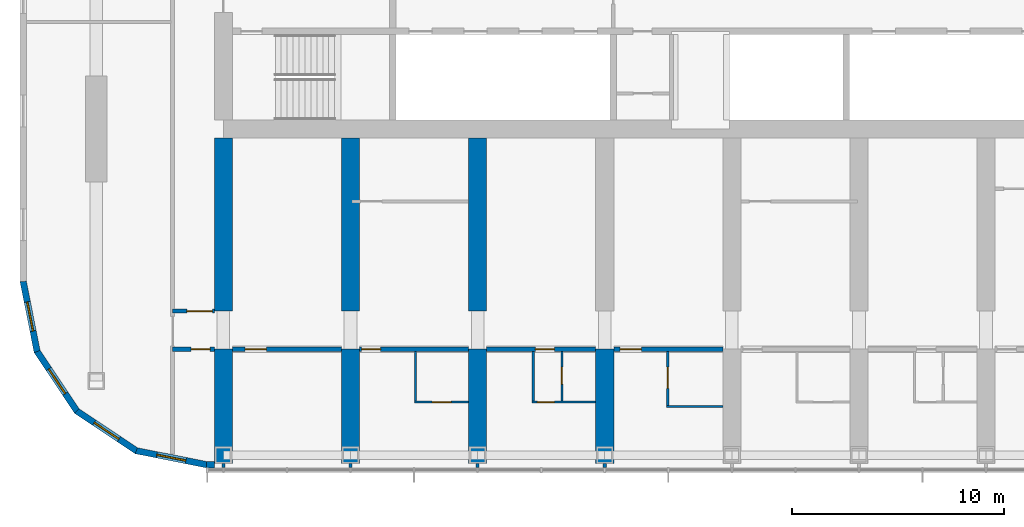
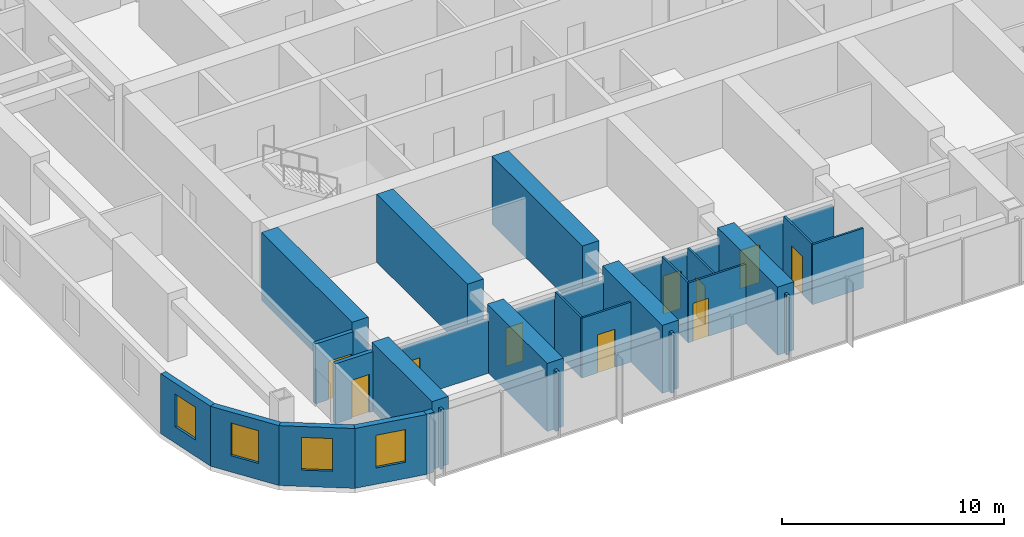
# One storey, part 10 of 22: 29 walls, 10 doors, 4 windows, 14 openings.
"""IFC4 building model written with IfcOpenShell, lengths in metres."""

from ifc_helpers import new_model, si_unit, direction, frame, frame_2d, origin, place, context, subcontext, project, spatial, polyline, rectangle, outline, extrude, material, layer, layer_set, type_object, element, fill, save


model = new_model("IFC4")

# Units and contexts
model_context = context("Model", 3, precision=1e-05, world=origin(), true_north=direction((0.0, 1.0)))
body_context = subcontext(model_context, "Body", "Model", "MODEL_VIEW")
ifc_project = project(units=[si_unit("LENGTHUNIT", "METRE"), si_unit("AREAUNIT", "SQUARE_METRE"), si_unit("VOLUMEUNIT", "CUBIC_METRE"), si_unit("PLANEANGLEUNIT", "RADIAN"), si_unit("MASSUNIT", "GRAM", prefix="KILO")], contexts=[model_context])

# Site, building, storey
site_placement = place(None, origin())
site = spatial("IfcSite", under=ifc_project, at=site_placement, CompositionType="ELEMENT")
building_placement = place(site_placement, origin())
building = spatial("IfcBuilding", under=site, at=building_placement, Name="Orbita Commons", CompositionType="ELEMENT")
storey_placement = place(building_placement, frame((0.0, 0.0, 144.85009765625)))
storey = spatial("IfcBuildingStorey", under=building, at=storey_placement, Name="L35", CompositionType="ELEMENT", Elevation=144.85009765625)

# Wall, opening, door
ifc_material_1 = material(Name="Concrete blockwork", Category="masonry")
ifc_layer_1 = layer(ifc_material_1, 0.199951171875)
ifc_layer_set_1 = layer_set([ifc_layer_1], Name="Concrete blockwork")
wall_type_1 = type_object("IfcWallType", Name="Corridor wall 200 blockwork", PredefinedType="SOLIDWALL", material=ifc_layer_set_1)
wall_1_placement = place(storey_placement, frame((15.60009765625, 15.39990234375, 0.0), z_axis=(0.0, 0.0, 1.0), x_axis=(1.0, 0.0, 0.0)))
wall_1 = element("IfcWall", 1, at=wall_1_placement, inside=storey, type_object=wall_type_1, Name="Corridor wall 200 blockwork L35", PredefinedType="SOLIDWALL", context=body_context, shape_type="SweptSolid", body=[
    extrude(rectangle(XDim=1.974853515625, YDim=0.199951171875, at=frame_2d((0.9873046875, 0.0))), origin(), (0.0, 0.0, 1.0), 3.2998046875),
])
opening_1_placement = place(wall_1_placement, frame((0.875, 0.0, 0.0)))
opening_1 = element("IfcOpeningElement", 2, at=opening_1_placement, cuts=wall_1, Name="Opening D05", PredefinedType="OPENING", context=body_context, shape_type="SweptSolid", body=[
    extrude(rectangle(XDim=0.89990234375, YDim=2.10009765625, at=frame_2d((0.449951171875, 1.050048828125))), frame((0.0, 0.10986328125, 0.0), z_axis=(0.0, -1.0, 0.0), x_axis=(1.0, 0.0, 0.0)), (0.0, 0.0, 1.0), 0.219970703125),
])
ifc_material_2 = material(Name="Steel-faced fire door leaf", Category="steel")
door_type_1 = type_object("IfcDoorType", Name="Service door 20 min 900x2100", OperationType="SINGLE_SWING_LEFT", PredefinedType="DOOR", material=ifc_material_2)
door_1_placement = place(opening_1_placement, origin())
door_1 = element("IfcDoor", 3, at=door_1_placement, inside=storey, type_object=door_type_1, Name="Linen store L35-KWS door", OperationType="SINGLE_SWING_LEFT", OverallHeight=2.10009765625, OverallWidth=0.89990234375, PredefinedType="DOOR", context=body_context, shape_type="SweptSolid", body=[
    extrude(rectangle(XDim=0.89990234375, YDim=2.10009765625, at=frame_2d((0.449951171875, 1.050048828125))), frame((0.0, 0.02490234375, 0.0), z_axis=(0.0, -1.0, 0.0), x_axis=(1.0, 0.0, 0.0)), (0.0, 0.0, 1.0), 0.050048828125),
])
fill(opening_1, door_1)

wall_2_placement = place(storey_placement, frame((18.425048828125, 15.39990234375, 0.0), z_axis=(0.0, 0.0, 1.0), x_axis=(1.0, 0.0, 0.0)))
wall_2 = element("IfcWall", 4, at=wall_2_placement, inside=storey, type_object=wall_type_1, Name="Corridor wall 200 blockwork L35", PredefinedType="SOLIDWALL", context=body_context, shape_type="SweptSolid", body=[
    extrude(outline(polyline([(0.0, 0.0), (5.14990234375, 0.0), (5.14990234375, 2.89990234375), (0.0, 2.89990234375), (0.0, 0.0)])), frame((0.0, 0.10009765625, 0.0), z_axis=(0.0, -1.0, 0.0), x_axis=(1.0, 0.0, 0.0)), (0.0, 0.0, 1.0), 0.199951171875),
])
opening_2_placement = place(wall_2_placement, frame((0.60009765625, 0.0, 0.0)))
opening_2 = element("IfcOpeningElement", 5, at=opening_2_placement, cuts=wall_2, Name="Opening D06", PredefinedType="OPENING", context=body_context, shape_type="SweptSolid", body=[
    extrude(rectangle(XDim=1.0, YDim=2.10009765625, at=frame_2d((0.5, 1.050048828125))), frame((0.0, 0.10986328125, 0.0), z_axis=(0.0, -1.0, 0.0), x_axis=(1.0, 0.0, 0.0)), (0.0, 0.0, 1.0), 0.219970703125),
])
ifc_material_3 = material(Name="Steel-faced fire door leaf", Category="steel")
door_type_2 = type_object("IfcDoorType", Name="Corridor door 20 min 1000x2100", OperationType="SINGLE_SWING_LEFT", PredefinedType="DOOR", material=ifc_material_3)
door_2_placement = place(opening_2_placement, origin())
door_2 = element("IfcDoor", 6, at=door_2_placement, inside=storey, type_object=door_type_2, Name="Mountain-view lounge L35-S00 door", OperationType="SINGLE_SWING_LEFT", OverallHeight=2.10009765625, OverallWidth=1.0, PredefinedType="DOOR", context=body_context, shape_type="SweptSolid", body=[
    extrude(rectangle(XDim=1.0, YDim=2.10009765625, at=frame_2d((0.5, 1.050048828125))), frame((0.0, 0.02490234375, 0.0), z_axis=(0.0, -1.0, 0.0), x_axis=(1.0, 0.0, 0.0)), (0.0, 0.0, 1.0), 0.050048828125),
])
fill(opening_2, door_2)

wall_3_placement = place(storey_placement, frame((24.425048828125, 15.39990234375, 0.0), z_axis=(0.0, 0.0, 1.0), x_axis=(1.0, 0.0, 0.0)))
wall_3 = element("IfcWall", 7, at=wall_3_placement, inside=storey, type_object=wall_type_1, Name="Corridor wall 200 blockwork L35", PredefinedType="SOLIDWALL", context=body_context, shape_type="SweptSolid", body=[
    extrude(outline(polyline([(0.0, 0.0), (5.14990234375, 0.0), (5.14990234375, 2.89990234375), (0.0, 2.89990234375), (0.0, 0.0)])), frame((0.0, 0.10009765625, 0.0), z_axis=(0.0, -1.0, 0.0), x_axis=(1.0, 0.0, 0.0)), (0.0, 0.0, 1.0), 0.199951171875),
])
opening_3_placement = place(wall_3_placement, frame((0.10009765625, 0.0, 0.0)))
opening_3 = element("IfcOpeningElement", 8, at=opening_3_placement, cuts=wall_3, Name="Opening D11", PredefinedType="OPENING", context=body_context, shape_type="SweptSolid", body=[
    extrude(rectangle(XDim=0.89990234375, YDim=2.10009765625, at=frame_2d((0.449951171875, 1.050048828125))), frame((0.0, 0.10986328125, 0.0), z_axis=(0.0, -1.0, 0.0), x_axis=(1.0, 0.0, 0.0)), (0.0, 0.0, 1.0), 0.219970703125),
])
ifc_material_4 = material(Name="Steel-faced fire door leaf", Category="steel")
door_type_3 = type_object("IfcDoorType", Name="Corridor door 20 min 900x2100", OperationType="SINGLE_SWING_LEFT", PredefinedType="DOOR", material=ifc_material_4)
door_3_placement = place(opening_3_placement, origin())
door_3 = element("IfcDoor", 9, at=door_3_placement, inside=storey, type_object=door_type_3, Name="Twin room L35-S02 door", OperationType="SINGLE_SWING_LEFT", OverallHeight=2.10009765625, OverallWidth=0.89990234375, PredefinedType="DOOR", context=body_context, shape_type="SweptSolid", body=[
    extrude(rectangle(XDim=0.89990234375, YDim=2.10009765625, at=frame_2d((0.449951171875, 1.050048828125))), frame((0.0, 0.02490234375, 0.0), z_axis=(0.0, -1.0, 0.0), x_axis=(1.0, 0.0, 0.0)), (0.0, 0.0, 1.0), 0.050048828125),
])
fill(opening_3, door_3)

wall_4_placement = place(storey_placement, frame((30.425048828125, 15.39990234375, 0.0), z_axis=(0.0, 0.0, 1.0), x_axis=(1.0, 0.0, 0.0)))
wall_4 = element("IfcWall", 10, at=wall_4_placement, inside=storey, type_object=wall_type_1, Name="Corridor wall 200 blockwork L35", PredefinedType="SOLIDWALL", context=body_context, shape_type="SweptSolid", body=[
    extrude(outline(polyline([(0.0, 0.0), (5.14990234375, 0.0), (5.14990234375, 2.89990234375), (0.0, 2.89990234375), (0.0, 0.0)])), frame((0.0, 0.10009765625, 0.0), z_axis=(0.0, -1.0, 0.0), x_axis=(1.0, 0.0, 0.0)), (0.0, 0.0, 1.0), 0.199951171875),
])
opening_4_placement = place(wall_4_placement, frame((2.300048828125, 0.0, 0.0)))
opening_4 = element("IfcOpeningElement", 11, at=opening_4_placement, cuts=wall_4, Name="Opening D11", PredefinedType="OPENING", context=body_context, shape_type="SweptSolid", body=[
    extrude(rectangle(XDim=0.89990234375, YDim=2.10009765625, at=frame_2d((0.449951171875, 1.050048828125))), frame((0.0, 0.10986328125, 0.0), z_axis=(0.0, -1.0, 0.0), x_axis=(1.0, 0.0, 0.0)), (0.0, 0.0, 1.0), 0.219970703125),
])
door_4_placement = place(opening_4_placement, origin())
door_4 = element("IfcDoor", 12, at=door_4_placement, inside=storey, type_object=door_type_3, Name="Studio flat L35-S04 entrance door", OperationType="SINGLE_SWING_LEFT", OverallHeight=2.10009765625, OverallWidth=0.89990234375, PredefinedType="DOOR", context=body_context, shape_type="SweptSolid", body=[
    extrude(rectangle(XDim=0.89990234375, YDim=2.10009765625, at=frame_2d((0.449951171875, 1.050048828125))), frame((0.0, 0.02490234375, 0.0), z_axis=(0.0, -1.0, 0.0), x_axis=(1.0, 0.0, 0.0)), (0.0, 0.0, 1.0), 0.050048828125),
])
fill(opening_4, door_4)

wall_5_placement = place(storey_placement, frame((36.425048828125, 15.39990234375, 0.0), z_axis=(0.0, 0.0, 1.0), x_axis=(1.0, 0.0, 0.0)))
wall_5 = element("IfcWall", 13, at=wall_5_placement, inside=storey, type_object=wall_type_1, Name="Corridor wall 200 blockwork L35", PredefinedType="SOLIDWALL", context=body_context, shape_type="SweptSolid", body=[
    extrude(outline(polyline([(0.0, 0.0), (5.14990234375, 0.0), (5.14990234375, 2.89990234375), (0.0, 2.89990234375), (0.0, 0.0)])), frame((0.0, 0.10009765625, 0.0), z_axis=(0.0, -1.0, 0.0), x_axis=(1.0, 0.0, 0.0)), (0.0, 0.0, 1.0), 0.199951171875),
])
opening_5_placement = place(wall_5_placement, frame((0.300048828125, 0.0, 0.0)))
opening_5 = element("IfcOpeningElement", 14, at=opening_5_placement, cuts=wall_5, Name="Opening D06", PredefinedType="OPENING", context=body_context, shape_type="SweptSolid", body=[
    extrude(rectangle(XDim=1.0, YDim=2.10009765625, at=frame_2d((0.5, 1.050048828125))), frame((0.0, 0.10986328125, 0.0), z_axis=(0.0, -1.0, 0.0), x_axis=(1.0, 0.0, 0.0)), (0.0, 0.0, 1.0), 0.219970703125),
])
door_5_placement = place(opening_5_placement, origin())
door_5 = element("IfcDoor", 15, at=door_5_placement, inside=storey, type_object=door_type_2, Name="Accessible bedroom L35-S06 door", OperationType="SINGLE_SWING_LEFT", OverallHeight=2.10009765625, OverallWidth=1.0, PredefinedType="DOOR", context=body_context, shape_type="SweptSolid", body=[
    extrude(rectangle(XDim=1.0, YDim=2.10009765625, at=frame_2d((0.5, 1.050048828125))), frame((0.0, 0.02490234375, 0.0), z_axis=(0.0, -1.0, 0.0), x_axis=(1.0, 0.0, 0.0)), (0.0, 0.0, 1.0), 0.050048828125),
])
fill(opening_5, door_5)

ifc_material_5 = material(Name="Hollow concrete block 200", Category="concrete")
ifc_layer_2 = layer(ifc_material_5, 0.199951171875)
ifc_layer_set_2 = layer_set([ifc_layer_2], Name="Hollow concrete block 200")
wall_type_2 = type_object("IfcWallType", Name="Corridor wall 200 hollow concrete block", PredefinedType="SOLIDWALL", material=ifc_layer_set_2)
wall_6_placement = place(storey_placement, frame((15.60009765625, 17.199951171875, 0.0), z_axis=(0.0, 0.0, 1.0), x_axis=(1.0, 0.0, 0.0)))
wall_6 = element("IfcWall", 16, at=wall_6_placement, inside=storey, type_object=wall_type_2, Name="Corridor wall 200 hollow concrete block L35", PredefinedType="SOLIDWALL", context=body_context, shape_type="SweptSolid", body=[
    extrude(rectangle(XDim=1.974853515625, YDim=0.199951171875, at=frame_2d((0.9873046875, 0.0))), origin(), (0.0, 0.0, 1.0), 3.2998046875),
])
opening_6_placement = place(wall_6_placement, frame((0.675048828125, 0.0, 0.0)))
opening_6 = element("IfcOpeningElement", 17, at=opening_6_placement, cuts=wall_6, Name="Opening D12", PredefinedType="OPENING", context=body_context, shape_type="SweptSolid", body=[
    extrude(rectangle(XDim=1.199951171875, YDim=2.10009765625, at=frame_2d((0.60009765625, 1.050048828125))), frame((0.0, 0.10986328125, 0.0), z_axis=(0.0, -1.0, 0.0), x_axis=(1.0, 0.0, 0.0)), (0.0, 0.0, 1.0), 0.219970703125),
])
ifc_material_6 = material(Name="Steel-faced fire door leaf", Category="steel")
door_type_4 = type_object("IfcDoorType", Name="Double corridor door 20 min 1200x2100", OperationType="DOUBLE_DOOR_SINGLE_SWING", PredefinedType="DOOR", material=ifc_material_6)
door_6_placement = place(opening_6_placement, origin())
door_6 = element("IfcDoor", 18, at=door_6_placement, inside=storey, type_object=door_type_4, Name="Cross corridor doors", OperationType="DOUBLE_DOOR_SINGLE_SWING", OverallHeight=2.10009765625, OverallWidth=1.199951171875, PredefinedType="DOOR", context=body_context, shape_type="SweptSolid", body=[
    extrude(rectangle(XDim=1.199951171875, YDim=2.10009765625, at=frame_2d((0.60009765625, 1.050048828125))), frame((0.0, 0.02490234375, 0.0), z_axis=(0.0, -1.0, 0.0), x_axis=(1.0, 0.0, 0.0)), (0.0, 0.0, 1.0), 0.050048828125),
])
fill(opening_6, door_6)

# Walls
ifc_material_7 = material(Name="Concrete C50/60", Category="concrete")
ifc_layer_3 = layer(ifc_material_7, 0.85009765625)
ifc_layer_set_3 = layer_set([ifc_layer_3], Name="Concrete C50/60")
wall_type_3 = type_object("IfcWallType", Name="Cross wall 850 C50/60", PredefinedType="SHEAR", material=ifc_layer_set_3)
wall_7_placement = place(storey_placement, frame((18.0, 10.0, 0.0), z_axis=(0.0, 0.0, 1.0), x_axis=(0.0, 1.0, 0.0)))
element("IfcWall", 19, at=wall_7_placement, inside=storey, type_object=wall_type_3, Name="Cross wall 4 south outer L35", PredefinedType="SHEAR", context=body_context, shape_type="SweptSolid", body=[
    extrude(rectangle(XDim=5.39990234375, YDim=0.85009765625, at=frame_2d((2.699951171875, 0.0))), origin(), (0.0, 0.0, 1.0), 3.75),
])
wall_8_placement = place(storey_placement, frame((18.0, 17.199951171875, 0.0), z_axis=(0.0, 0.0, 1.0), x_axis=(0.0, 1.0, 0.0)))
element("IfcWall", 20, at=wall_8_placement, inside=storey, type_object=wall_type_3, Name="Cross wall 4 south inner L35", PredefinedType="SHEAR", context=body_context, shape_type="SweptSolid", body=[
    extrude(rectangle(XDim=8.175048828125, YDim=0.85009765625, at=frame_2d((4.08740234375, 0.0))), origin(), (0.0, 0.0, 1.0), 3.75),
])
wall_9_placement = place(storey_placement, frame((24.0, 10.0, 0.0), z_axis=(0.0, 0.0, 1.0), x_axis=(0.0, 1.0, 0.0)))
element("IfcWall", 21, at=wall_9_placement, inside=storey, type_object=wall_type_3, Name="Cross wall 5 south outer L35", PredefinedType="SHEAR", context=body_context, shape_type="SweptSolid", body=[
    extrude(rectangle(XDim=5.39990234375, YDim=0.85009765625, at=frame_2d((2.699951171875, 0.0))), origin(), (0.0, 0.0, 1.0), 3.75),
])
wall_10_placement = place(storey_placement, frame((24.0, 17.199951171875, 0.0), z_axis=(0.0, 0.0, 1.0), x_axis=(0.0, 1.0, 0.0)))
element("IfcWall", 22, at=wall_10_placement, inside=storey, type_object=wall_type_3, Name="Cross wall 5 south inner L35", PredefinedType="SHEAR", context=body_context, shape_type="SweptSolid", body=[
    extrude(rectangle(XDim=8.175048828125, YDim=0.85009765625, at=frame_2d((4.08740234375, 0.0))), origin(), (0.0, 0.0, 1.0), 3.75),
])
wall_11_placement = place(storey_placement, frame((30.0, 10.0, 0.0), z_axis=(0.0, 0.0, 1.0), x_axis=(0.0, 1.0, 0.0)))
element("IfcWall", 23, at=wall_11_placement, inside=storey, type_object=wall_type_3, Name="Cross wall 6 south outer L35", PredefinedType="SHEAR", context=body_context, shape_type="SweptSolid", body=[
    extrude(rectangle(XDim=5.39990234375, YDim=0.85009765625, at=frame_2d((2.699951171875, 0.0))), origin(), (0.0, 0.0, 1.0), 3.75),
])
wall_12_placement = place(storey_placement, frame((30.0, 17.199951171875, 0.0), z_axis=(0.0, 0.0, 1.0), x_axis=(0.0, 1.0, 0.0)))
element("IfcWall", 24, at=wall_12_placement, inside=storey, type_object=wall_type_3, Name="Cross wall 6 south inner L35", PredefinedType="SHEAR", context=body_context, shape_type="SweptSolid", body=[
    extrude(rectangle(XDim=8.175048828125, YDim=0.85009765625, at=frame_2d((4.08740234375, 0.0))), origin(), (0.0, 0.0, 1.0), 3.75),
])
wall_13_placement = place(storey_placement, frame((36.0, 10.0, 0.0), z_axis=(0.0, 0.0, 1.0), x_axis=(0.0, 1.0, 0.0)))
element("IfcWall", 25, at=wall_13_placement, inside=storey, type_object=wall_type_3, Name="Cross wall 7 south outer L35", PredefinedType="SHEAR", context=body_context, shape_type="SweptSolid", body=[
    extrude(rectangle(XDim=5.39990234375, YDim=0.85009765625, at=frame_2d((2.699951171875, 0.0))), origin(), (0.0, 0.0, 1.0), 3.75),
])

# Wall, opening, door
ifc_material_8 = material(Name="Moisture-resistant plasterboard on steel studs", Category="steel")
ifc_layer_4 = layer(ifc_material_8, 0.10009765625)
ifc_layer_set_4 = layer_set([ifc_layer_4], Name="Moisture-resistant plasterboard on steel studs")
wall_type_4 = type_object("IfcWallType", Name="En-suite partition 100", PredefinedType="PARTITIONING", material=ifc_layer_set_4)
wall_14_placement = place(storey_placement, frame((29.574951171875, 12.89990234375, 0.0), z_axis=(0.0, 0.0, 1.0), x_axis=(-1.0, 0.0, 0.0)))
wall_14 = element("IfcWall", 26, at=wall_14_placement, inside=storey, type_object=wall_type_4, Name="En-suite partition 100 L35", PredefinedType="PARTITIONING", context=body_context, shape_type="SweptSolid", body=[
    extrude(rectangle(XDim=2.550048828125, YDim=0.10009765625, at=frame_2d((1.27490234375, 0.0))), origin(), (0.0, 0.0, 1.0), 3.2998046875),
])
opening_7_placement = place(wall_14_placement, frame((0.824951171875, 0.0, 0.0)))
opening_7 = element("IfcOpeningElement", 27, at=opening_7_placement, cuts=wall_14, Name="Opening D09", PredefinedType="OPENING", context=body_context, shape_type="SweptSolid", body=[
    extrude(rectangle(XDim=0.89990234375, YDim=2.10009765625, at=frame_2d((0.449951171875, 1.050048828125))), frame((0.0, 0.06005859375, 0.0), z_axis=(0.0, -1.0, 0.0), x_axis=(1.0, 0.0, 0.0)), (0.0, 0.0, 1.0), 0.1201171875),
])
ifc_material_9 = material(Name="Laminated timber door leaf", Category="wood")
door_type_5 = type_object("IfcDoorType", Name="En-suite door 900x2100", OperationType="SINGLE_SWING_RIGHT", PredefinedType="DOOR", material=ifc_material_9)
door_7_placement = place(opening_7_placement, origin())
door_7 = element("IfcDoor", 28, at=door_7_placement, inside=storey, type_object=door_type_5, Name="En-suite L35-S02 door", OperationType="SINGLE_SWING_RIGHT", OverallHeight=2.10009765625, OverallWidth=0.89990234375, PredefinedType="DOOR", context=body_context, shape_type="SweptSolid", body=[
    extrude(rectangle(XDim=0.89990234375, YDim=2.10009765625, at=frame_2d((0.449951171875, 1.050048828125))), frame((0.0, 0.02490234375, 0.0), z_axis=(0.0, -1.0, 0.0), x_axis=(1.0, 0.0, 0.0)), (0.0, 0.0, 1.0), 0.050048828125),
])
fill(opening_7, door_7)

# Wall
wall_15_placement = place(storey_placement, frame((27.074951171875, 12.949951171875, 0.0), z_axis=(0.0, 0.0, 1.0), x_axis=(0.0, 1.0, 0.0)))
element("IfcWall", 29, at=wall_15_placement, inside=storey, type_object=wall_type_4, Name="En-suite partition 100 L35", PredefinedType="PARTITIONING", context=body_context, shape_type="SweptSolid", body=[
    extrude(outline(polyline([(0.0, 0.0), (2.35009765625, 0.0), (2.35009765625, 2.89990234375), (2.302001953125, 2.89990234375), (2.300048828125, 3.2998046875), (0.0, 3.2998046875), (0.0, 0.0)])), frame((0.0, 0.050048828125, 0.0), z_axis=(0.0, -1.0, 0.0), x_axis=(1.0, 0.0, 0.0)), (0.0, 0.0, 1.0), 0.10009765625),
])

# Wall, opening, door
wall_16_placement = place(storey_placement, frame((35.574951171875, 12.89990234375, 0.0), z_axis=(0.0, 0.0, 1.0), x_axis=(-1.0, 0.0, 0.0)))
wall_16 = element("IfcWall", 30, at=wall_16_placement, inside=storey, type_object=wall_type_4, Name="En-suite partition 100 L35", PredefinedType="PARTITIONING", context=body_context, shape_type="SweptSolid", body=[
    extrude(rectangle(XDim=3.0, YDim=0.10009765625, at=frame_2d((1.5, 0.0))), origin(), (0.0, 0.0, 1.0), 3.2998046875),
])
opening_8_placement = place(wall_16_placement, frame((1.949951171875, 0.0, 0.0)))
opening_8 = element("IfcOpeningElement", 31, at=opening_8_placement, cuts=wall_16, Name="Opening D16", PredefinedType="OPENING", context=body_context, shape_type="SweptSolid", body=[
    extrude(rectangle(XDim=0.800048828125, YDim=2.10009765625, at=frame_2d((0.39990234375, 1.050048828125))), frame((0.0, 0.06005859375, 0.0), z_axis=(0.0, -1.0, 0.0), x_axis=(1.0, 0.0, 0.0)), (0.0, 0.0, 1.0), 0.1201171875),
])
ifc_material_10 = material(Name="Laminated timber door leaf", Category="wood")
door_type_6 = type_object("IfcDoorType", Name="En-suite door 800x2100", OperationType="SINGLE_SWING_RIGHT", PredefinedType="DOOR", material=ifc_material_10)
door_8_placement = place(opening_8_placement, origin())
door_8 = element("IfcDoor", 32, at=door_8_placement, inside=storey, type_object=door_type_6, Name="Studio flat L35-S04 door", OperationType="SINGLE_SWING_RIGHT", OverallHeight=2.10009765625, OverallWidth=0.800048828125, PredefinedType="DOOR", context=body_context, shape_type="SweptSolid", body=[
    extrude(rectangle(XDim=0.800048828125, YDim=2.10009765625, at=frame_2d((0.39990234375, 1.050048828125))), frame((0.0, 0.02490234375, 0.0), z_axis=(0.0, -1.0, 0.0), x_axis=(1.0, 0.0, 0.0)), (0.0, 0.0, 1.0), 0.050048828125),
])
fill(opening_8, door_8)

# Wall
wall_17_placement = place(storey_placement, frame((32.625, 12.949951171875, 0.0), z_axis=(0.0, 0.0, 1.0), x_axis=(0.0, 1.0, 0.0)))
element("IfcWall", 33, at=wall_17_placement, inside=storey, type_object=wall_type_4, Name="En-suite partition 100 L35", PredefinedType="PARTITIONING", context=body_context, shape_type="SweptSolid", body=[
    extrude(outline(polyline([(0.0, 0.0), (2.35009765625, 0.0), (2.35009765625, 2.89990234375), (2.302001953125, 2.89990234375), (2.300048828125, 3.2998046875), (0.0, 3.2998046875), (0.0, 0.0)])), frame((0.0, 0.050048828125, 0.0), z_axis=(0.0, -1.0, 0.0), x_axis=(1.0, 0.0, 0.0)), (0.0, 0.0, 1.0), 0.10009765625),
])

# Wall, opening, door
wall_18_placement = place(storey_placement, frame((33.97509765625, 12.949951171875, 0.0), z_axis=(0.0, 0.0, 1.0), x_axis=(0.0, 1.0, 0.0)))
wall_18 = element("IfcWall", 34, at=wall_18_placement, inside=storey, type_object=wall_type_4, Name="En-suite partition 100 L35", PredefinedType="PARTITIONING", context=body_context, shape_type="SweptSolid", body=[
    extrude(outline(polyline([(0.0, 0.0), (2.35009765625, 0.0), (2.35009765625, 2.89990234375), (2.302001953125, 2.89990234375), (2.300048828125, 3.2998046875), (0.0, 3.2998046875), (0.0, 0.0)])), frame((0.0, 0.050048828125, 0.0), z_axis=(0.0, -1.0, 0.0), x_axis=(1.0, 0.0, 0.0)), (0.0, 0.0, 1.0), 0.10009765625),
])
opening_9_placement = place(wall_18_placement, frame((0.800048828125, 0.0, 0.0)))
opening_9 = element("IfcOpeningElement", 35, at=opening_9_placement, cuts=wall_18, Name="Opening D16", PredefinedType="OPENING", context=body_context, shape_type="SweptSolid", body=[
    extrude(rectangle(XDim=0.800048828125, YDim=2.10009765625, at=frame_2d((0.39990234375, 1.050048828125))), frame((0.0, 0.06005859375, 0.0), z_axis=(0.0, -1.0, 0.0), x_axis=(1.0, 0.0, 0.0)), (0.0, 0.0, 1.0), 0.1201171875),
])
door_9_placement = place(opening_9_placement, origin())
door_9 = element("IfcDoor", 36, at=door_9_placement, inside=storey, type_object=door_type_6, Name="Studio flat shower room L35-S04 door", OperationType="SINGLE_SWING_RIGHT", OverallHeight=2.10009765625, OverallWidth=0.800048828125, PredefinedType="DOOR", context=body_context, shape_type="SweptSolid", body=[
    extrude(rectangle(XDim=0.800048828125, YDim=2.10009765625, at=frame_2d((0.39990234375, 1.050048828125))), frame((0.0, 0.02490234375, 0.0), z_axis=(0.0, -1.0, 0.0), x_axis=(1.0, 0.0, 0.0)), (0.0, 0.0, 1.0), 0.050048828125),
])
fill(opening_9, door_9)

# Wall
wall_19_placement = place(storey_placement, frame((38.925048828125, 12.699951171875, 0.0), z_axis=(0.0, 0.0, 1.0), x_axis=(1.0, 0.0, 0.0)))
element("IfcWall", 37, at=wall_19_placement, inside=storey, type_object=wall_type_4, Name="En-suite partition 100 L35", PredefinedType="PARTITIONING", context=body_context, shape_type="SweptSolid", body=[
    extrude(rectangle(XDim=2.64990234375, YDim=0.10009765625, at=frame_2d((1.324951171875, 0.0))), origin(), (0.0, 0.0, 1.0), 3.2998046875),
])

# Wall, opening, door
wall_20_placement = place(storey_placement, frame((38.97509765625, 12.75, 0.0), z_axis=(0.0, 0.0, 1.0), x_axis=(0.0, 1.0, 0.0)))
wall_20 = element("IfcWall", 38, at=wall_20_placement, inside=storey, type_object=wall_type_4, Name="En-suite partition 100 L35", PredefinedType="PARTITIONING", context=body_context, shape_type="SweptSolid", body=[
    extrude(outline(polyline([(0.0, 0.0), (2.550048828125, 0.0), (2.550048828125, 2.89990234375), (2.501953125, 2.89990234375), (2.5, 3.2998046875), (0.0, 3.2998046875), (0.0, 0.0)])), frame((0.0, 0.050048828125, 0.0), z_axis=(0.0, -1.0, 0.0), x_axis=(1.0, 0.0, 0.0)), (0.0, 0.0, 1.0), 0.10009765625),
])
opening_10_placement = place(wall_20_placement, frame((0.800048828125, 0.0, 0.0)))
opening_10 = element("IfcOpeningElement", 39, at=opening_10_placement, cuts=wall_20, Name="Opening D13", PredefinedType="OPENING", context=body_context, shape_type="SweptSolid", body=[
    extrude(rectangle(XDim=1.0, YDim=2.10009765625, at=frame_2d((0.5, 1.050048828125))), frame((0.0, 0.06005859375, 0.0), z_axis=(0.0, -1.0, 0.0), x_axis=(1.0, 0.0, 0.0)), (0.0, 0.0, 1.0), 0.1201171875),
])
ifc_material_11 = material(Name="Laminated timber door leaf", Category="wood")
door_type_7 = type_object("IfcDoorType", Name="En-suite door 1000x2100", OperationType="SINGLE_SWING_RIGHT", PredefinedType="DOOR", material=ifc_material_11)
door_10_placement = place(opening_10_placement, origin())
door_10 = element("IfcDoor", 40, at=door_10_placement, inside=storey, type_object=door_type_7, Name="Accessible shower room L35-S06 door", OperationType="SINGLE_SWING_RIGHT", OverallHeight=2.10009765625, OverallWidth=1.0, PredefinedType="DOOR", context=body_context, shape_type="SweptSolid", body=[
    extrude(rectangle(XDim=1.0, YDim=2.10009765625, at=frame_2d((0.5, 1.050048828125))), frame((0.0, 0.02490234375, 0.0), z_axis=(0.0, -1.0, 0.0), x_axis=(1.0, 0.0, 0.0)), (0.0, 0.0, 1.0), 0.050048828125),
])
fill(opening_10, door_10)

# Walls
ifc_material_12 = material(Name="Gypsum plasterboard on steel studs", Category="steel")
ifc_layer_5 = layer(ifc_material_12, 0.14990234375)
ifc_layer_set_5 = layer_set([ifc_layer_5], Name="Gypsum plasterboard on steel studs")
wall_type_5 = type_object("IfcWallType", Name="Partition 150 plasterboard", PredefinedType="PARTITIONING", material=ifc_layer_set_5)
for number, where, z_axis, x_axis, name in (
    (41, (18.0, 10.0, 0.0), (0.0, 0.0, 1.0), (0.0, -1.0, 0.0), "Partition 150 plasterboard L35"),
    (42, (24.0, 10.0, 0.0), (0.0, 0.0, 1.0), (0.0, -1.0, 0.0), "Partition 150 plasterboard L35"),
    (43, (30.0, 10.0, 0.0), (0.0, 0.0, 1.0), (0.0, -1.0, 0.0), "Partition 150 plasterboard L35"),
    (44, (36.0, 10.0, 0.0), (0.0, 0.0, 1.0), (0.0, -1.0, 0.0), "Partition 150 plasterboard L35"),
):
    element("IfcWall", number, at=place(storey_placement, frame(where, z_axis=z_axis, x_axis=x_axis)), inside=storey, type_object=wall_type_5, Name=name, PredefinedType="PARTITIONING", context=body_context, shape_type="SweptSolid", body=[
        extrude(rectangle(XDim=0.18994140625, YDim=0.14990234375, at=frame_2d((0.094970703125, 0.0))), origin(), (0.0, 0.0, 1.0), 3.2998046875),
    ])

# Wall, opening, window
ifc_material_13 = material(Name="Precast concrete C40/50, white board-marked finish", Category="concrete")
ifc_layer_6 = layer(ifc_material_13, 0.300048828125)
ifc_layer_set_6 = layer_set([ifc_layer_6], Name="Precast concrete C40/50, white board-marked finish")
wall_type_6 = type_object("IfcWallType", Name="Precast concrete end shield 300", PredefinedType="SOLIDWALL", material=ifc_layer_set_6)
wall_21_placement = place(storey_placement, frame((8.550048828125, 18.60009765625, 0.0), z_axis=(0.0, 0.0, 1.0), x_axis=(0.19508664885, -0.980786011034, 0.0)))
wall_21 = element("IfcWall", 45, at=wall_21_placement, inside=storey, type_object=wall_type_6, Name="End shield SW chord 1 L35", PredefinedType="SOLIDWALL", context=body_context, shape_type="SweptSolid", body=[
    extrude(outline(polyline([(-0.014892578125, -0.14990234375), (3.405029296875, -0.14990234375), (3.345458984375, 0.14990234375), (0.014892578125, 0.14990234375), (-0.014892578125, -0.14990234375)])), origin(), (0.0, 0.0, 1.0), 3.2998046875),
])
opening_11_placement = place(wall_21_placement, frame((0.987548828125, 0.0, 0.89990234375)))
opening_11 = element("IfcOpeningElement", 46, at=opening_11_placement, cuts=wall_21, Name="Opening W02", PredefinedType="OPENING", context=body_context, shape_type="SweptSolid", body=[
    extrude(rectangle(XDim=1.39990234375, YDim=1.800048828125, at=frame_2d((0.699951171875, 0.89990234375))), frame((0.0, 0.159912109375, 0.0), z_axis=(0.0, -1.0, 0.0), x_axis=(1.0, 0.0, 0.0)), (0.0, 0.0, 1.0), 0.320068359375),
])
ifc_material_14 = material(Name="Aluminium frame, clear double glazing", Category="aluminium")
window_type = type_object("IfcWindowType", Name="Deep-set window 1400x1800", PartitioningType="SINGLE_PANEL", PredefinedType="WINDOW", material=ifc_material_14)
window_1_placement = place(opening_11_placement, origin())
window_1 = element("IfcWindow", 47, at=window_1_placement, inside=storey, type_object=window_type, Name="Window L35-SW0", OverallHeight=1.800048828125, OverallWidth=1.39990234375, PartitioningType="SINGLE_PANEL", PredefinedType="WINDOW", context=body_context, shape_type="SweptSolid", body=[
    extrude(rectangle(XDim=1.39990234375, YDim=1.800048828125, at=frame_2d((0.699951171875, 0.89990234375))), frame((0.0, 0.030029296875, 0.0), z_axis=(0.0, -1.0, 0.0), x_axis=(1.0, 0.0, 0.0)), (0.0, 0.0, 1.0), 0.06005859375),
])
fill(opening_11, window_1)

wall_22_placement = place(storey_placement, frame((9.20849609375, 15.289794921875, 0.0), z_axis=(0.0, 0.0, 1.0), x_axis=(0.555534554399, -0.831493450887, 0.0)))
wall_22 = element("IfcWall", 48, at=wall_22_placement, inside=storey, type_object=wall_type_6, Name="End shield SW chord 2 L35", PredefinedType="SOLIDWALL", context=body_context, shape_type="SweptSolid", body=[
    extrude(outline(polyline([(-0.02978515625, -0.14990234375), (3.405029296875, -0.14990234375), (3.345458984375, 0.14990234375), (0.02978515625, 0.14990234375), (-0.02978515625, -0.14990234375)])), origin(), (0.0, 0.0, 1.0), 3.2998046875),
])
opening_12_placement = place(wall_22_placement, frame((0.987548828125, 0.0, 0.89990234375)))
opening_12 = element("IfcOpeningElement", 49, at=opening_12_placement, cuts=wall_22, Name="Opening W02", PredefinedType="OPENING", context=body_context, shape_type="SweptSolid", body=[
    extrude(rectangle(XDim=1.39990234375, YDim=1.800048828125, at=frame_2d((0.699951171875, 0.89990234375))), frame((0.0, 0.159912109375, 0.0), z_axis=(0.0, -1.0, 0.0), x_axis=(1.0, 0.0, 0.0)), (0.0, 0.0, 1.0), 0.320068359375),
])
window_2_placement = place(opening_12_placement, origin())
window_2 = element("IfcWindow", 50, at=window_2_placement, inside=storey, type_object=window_type, Name="Window L35-SW1", OverallHeight=1.800048828125, OverallWidth=1.39990234375, PartitioningType="SINGLE_PANEL", PredefinedType="WINDOW", context=body_context, shape_type="SweptSolid", body=[
    extrude(rectangle(XDim=1.39990234375, YDim=1.800048828125, at=frame_2d((0.699951171875, 0.89990234375))), frame((0.0, 0.030029296875, 0.0), z_axis=(0.0, -1.0, 0.0), x_axis=(1.0, 0.0, 0.0)), (0.0, 0.0, 1.0), 0.06005859375),
])
fill(opening_12, window_2)

wall_23_placement = place(storey_placement, frame((11.08349609375, 12.4833984375, 0.0), z_axis=(0.0, 0.0, 1.0), x_axis=(0.831493450887, -0.555534554399, 0.0)))
wall_23 = element("IfcWall", 51, at=wall_23_placement, inside=storey, type_object=wall_type_6, Name="End shield SW chord 3 L35", PredefinedType="SOLIDWALL", context=body_context, shape_type="SweptSolid", body=[
    extrude(outline(polyline([(-0.02978515625, -0.14990234375), (3.405029296875, -0.14990234375), (3.345458984375, 0.14990234375), (0.02978515625, 0.14990234375), (-0.02978515625, -0.14990234375)])), origin(), (0.0, 0.0, 1.0), 3.2998046875),
])
opening_13_placement = place(wall_23_placement, frame((0.987548828125, 0.0, 0.89990234375)))
opening_13 = element("IfcOpeningElement", 52, at=opening_13_placement, cuts=wall_23, Name="Opening W02", PredefinedType="OPENING", context=body_context, shape_type="SweptSolid", body=[
    extrude(rectangle(XDim=1.39990234375, YDim=1.800048828125, at=frame_2d((0.699951171875, 0.89990234375))), frame((0.0, 0.159912109375, 0.0), z_axis=(0.0, -1.0, 0.0), x_axis=(1.0, 0.0, 0.0)), (0.0, 0.0, 1.0), 0.320068359375),
])
window_3_placement = place(opening_13_placement, origin())
window_3 = element("IfcWindow", 53, at=window_3_placement, inside=storey, type_object=window_type, Name="Window L35-SW2", OverallHeight=1.800048828125, OverallWidth=1.39990234375, PartitioningType="SINGLE_PANEL", PredefinedType="WINDOW", context=body_context, shape_type="SweptSolid", body=[
    extrude(rectangle(XDim=1.39990234375, YDim=1.800048828125, at=frame_2d((0.699951171875, 0.89990234375))), frame((0.0, 0.030029296875, 0.0), z_axis=(0.0, -1.0, 0.0), x_axis=(1.0, 0.0, 0.0)), (0.0, 0.0, 1.0), 0.06005859375),
])
fill(opening_13, window_3)

wall_24_placement = place(storey_placement, frame((13.889892578125, 10.6083984375, 0.0), z_axis=(0.0, 0.0, 1.0), x_axis=(0.98078325777, -0.195100490205, 0.0)))
wall_24 = element("IfcWall", 54, at=wall_24_placement, inside=storey, type_object=wall_type_6, Name="End shield SW chord 4 L35", PredefinedType="SOLIDWALL", context=body_context, shape_type="SweptSolid", body=[
    extrude(outline(polyline([(-0.02978515625, -0.14990234375), (3.40478515625, -0.14990234375), (3.34521484375, 0.14990234375), (0.02978515625, 0.14990234375), (-0.02978515625, -0.14990234375)])), origin(), (0.0, 0.0, 1.0), 3.2998046875),
])
opening_14_placement = place(wall_24_placement, frame((0.987548828125, 0.0, 0.89990234375)))
opening_14 = element("IfcOpeningElement", 55, at=opening_14_placement, cuts=wall_24, Name="Opening W02", PredefinedType="OPENING", context=body_context, shape_type="SweptSolid", body=[
    extrude(rectangle(XDim=1.39990234375, YDim=1.800048828125, at=frame_2d((0.699951171875, 0.89990234375))), frame((0.0, 0.159912109375, 0.0), z_axis=(0.0, -1.0, 0.0), x_axis=(1.0, 0.0, 0.0)), (0.0, 0.0, 1.0), 0.320068359375),
])
window_4_placement = place(opening_14_placement, origin())
window_4 = element("IfcWindow", 56, at=window_4_placement, inside=storey, type_object=window_type, Name="Window L35-SW3", OverallHeight=1.800048828125, OverallWidth=1.39990234375, PartitioningType="SINGLE_PANEL", PredefinedType="WINDOW", context=body_context, shape_type="SweptSolid", body=[
    extrude(rectangle(XDim=1.39990234375, YDim=1.800048828125, at=frame_2d((0.699951171875, 0.89990234375))), frame((0.0, 0.030029296875, 0.0), z_axis=(0.0, -1.0, 0.0), x_axis=(1.0, 0.0, 0.0)), (0.0, 0.0, 1.0), 0.06005859375),
])
fill(opening_14, window_4)

# Wall
wall_25_placement = place(storey_placement, frame((17.199951171875, 9.949951171875, 0.0), z_axis=(0.0, 0.0, 1.0), x_axis=(1.0, 0.0, 0.0)))
element("IfcWall", 57, at=wall_25_placement, inside=storey, type_object=wall_type_6, Name="End shield SW closer L35", PredefinedType="SOLIDWALL", context=body_context, shape_type="SweptSolid", body=[
    extrude(rectangle(XDim=0.375, YDim=0.300048828125, at=frame_2d((0.1875, 0.0))), origin(), (0.0, 0.0, 1.0), 3.2998046875),
])

save(model, "model.ifc")
